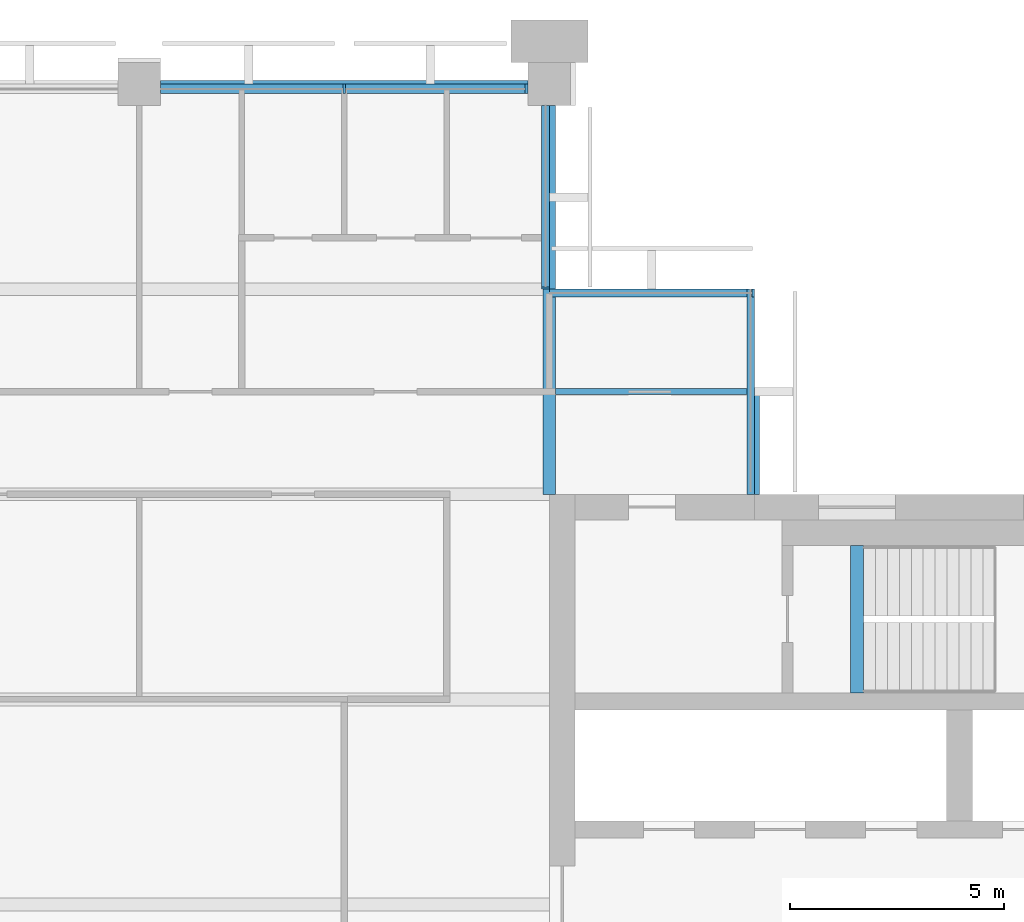
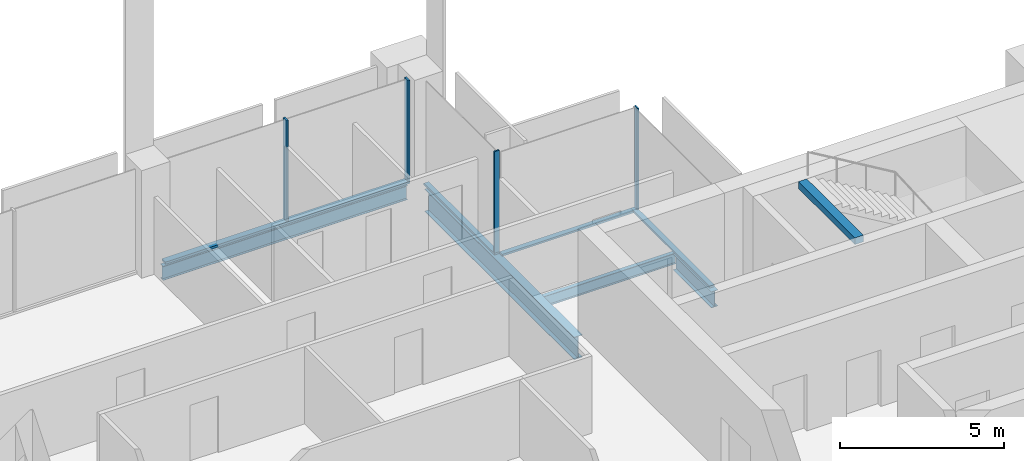
# One storey, part 6 of 13: 8 members, 5 beams, 4 elements without a shape of their own.
"""IFC4 building model written with IfcOpenShell, lengths in metres."""

from ifc_helpers import new_model, si_unit, direction, frame, origin, origin_2d, place, context, subcontext, project, spatial, rectangle, i_section, extrude, material, material_profile, profile_set, type_object, element, aggregate, save


model = new_model("IFC4")

# Units and contexts
model_context = context("Model", 3, precision=1e-05, world=origin(), true_north=direction((0.0, 1.0)))
body_context = subcontext(model_context, "Body", "Model", "MODEL_VIEW")
ifc_project = project(units=[si_unit("LENGTHUNIT", "METRE"), si_unit("AREAUNIT", "SQUARE_METRE"), si_unit("VOLUMEUNIT", "CUBIC_METRE"), si_unit("PLANEANGLEUNIT", "RADIAN"), si_unit("MASSUNIT", "GRAM", prefix="KILO")], contexts=[model_context])

# Site, building, storey
site_placement = place(None, origin())
site = spatial("IfcSite", under=ifc_project, at=site_placement, CompositionType="ELEMENT")
building_placement = place(site_placement, origin())
building = spatial("IfcBuilding", under=site, at=building_placement, Name="Baori Bourse Tower", CompositionType="ELEMENT")
storey_placement = place(building_placement, frame((0.0, 0.0, 330.300048828125)))
storey = spatial("IfcBuildingStorey", under=building, at=storey_placement, Name="L73", CompositionType="ELEMENT", Elevation=330.300048828125)

# Curtain wall, member
ifc_material_1 = material(Name="Pale anodised aluminium", Category="aluminium")
curtain_wall_type_1 = type_object("IfcCurtainWallType", Name="CW2 Curtain wall", PredefinedType="NOTDEFINED", material=ifc_material_1)
curtain_wall_1_placement = place(storey_placement, origin())
curtain_wall_1 = element("IfcCurtainWall", 1, at=curtain_wall_1_placement, inside=storey, type_object=curtain_wall_type_1, Name="Curtain wall CW2 L73 2", PredefinedType="NOTDEFINED")
ifc_material_2 = material(Name="Pale anodised aluminium", Category="aluminium")
ifc_material_profile_1 = material_profile(ifc_material_2, rectangle(XDim=0.179931640625, YDim=0.054931640625, at=origin_2d()), Name="Mullion 55x180")
ifc_profile_set_1 = profile_set([ifc_material_profile_1], Name="Pale anodised aluminium")
member_type_1 = type_object("IfcMemberType", Name="CW2 Curtain wall mullion", PredefinedType="MULLION", material=ifc_profile_set_1)
member_1_placement = place(storey_placement, frame((43.172607421875, 43.110107421875, 0.070068359375), z_axis=(0.0, 0.0, 1.0), x_axis=(0.0, -1.0, 0.0)))
member_1 = element("IfcMember", 2, at=member_1_placement, type_object=member_type_1, Name="Curtain wall CW2 mullion", PredefinedType="MULLION", context=body_context, shape_type="SweptSolid", body=[
    extrude(rectangle(XDim=0.179931640625, YDim=0.054931640625, at=origin_2d()), origin(), (0.0, 0.0, 1.0), 3.769775390625),
])

curtain_wall_2_placement = place(storey_placement, origin())
curtain_wall_2 = element("IfcCurtainWall", 3, at=curtain_wall_2_placement, inside=storey, type_object=curtain_wall_type_1, Name="Curtain wall CW2 L73 3", PredefinedType="NOTDEFINED")
member_2_placement = place(storey_placement, frame((38.31005859375, 43.2275390625, 0.070068359375), z_axis=(0.0, 0.0, 1.0), x_axis=(-1.0, 0.0, 0.0)))
member_2 = element("IfcMember", 4, at=member_2_placement, type_object=member_type_1, Name="Curtain wall CW2 mullion", PredefinedType="MULLION", context=body_context, shape_type="SweptSolid", body=[
    extrude(rectangle(XDim=0.179931640625, YDim=0.054931640625, at=origin_2d()), origin(), (0.0, 0.0, 1.0), 3.769775390625),
])

curtain_wall_3_placement = place(storey_placement, origin())
curtain_wall_3 = element("IfcCurtainWall", 5, at=curtain_wall_3_placement, inside=storey, type_object=curtain_wall_type_1, Name="Curtain wall CW2 L73 1", PredefinedType="NOTDEFINED")
ifc_material_3 = material(Name="Pale anodised aluminium", Category="aluminium")
ifc_material_profile_2 = material_profile(ifc_material_3, rectangle(XDim=0.179931640625, YDim=0.070068359375, at=origin_2d()), Name="Transom 70x180")
ifc_profile_set_2 = profile_set([ifc_material_profile_2], Name="Pale anodised aluminium")
member_type_2 = type_object("IfcMemberType", Name="CW2 Curtain wall transom", PredefinedType="USERDEFINED", material=ifc_profile_set_2)
member_3_placement = place(storey_placement, frame((43.110107421875, 38.39990234375, 0.034912109375), z_axis=(0.0, 1.0, 0.0), x_axis=(-1.0, 0.0, 0.0)))
member_3 = element("IfcMember", 6, at=member_3_placement, type_object=member_type_2, Name="Curtain wall CW2 sill rail", ObjectType="TRANSOM", PredefinedType="USERDEFINED", context=body_context, shape_type="SweptSolid", body=[
    extrude(rectangle(XDim=0.179931640625, YDim=0.070068359375, at=origin_2d()), origin(), (0.0, 0.0, 1.0), 4.800048828125),
])
aggregate(curtain_wall_3, [member_3])

# Member
member_4_placement = place(storey_placement, frame((43.199951171875, 43.110107421875, 0.034912109375), z_axis=(-1.0, 0.0, 0.0), x_axis=(0.0, -1.0, 0.0)))
member_4 = element("IfcMember", 7, at=member_4_placement, type_object=member_type_2, Name="Curtain wall CW2 sill rail", ObjectType="TRANSOM", PredefinedType="USERDEFINED", context=body_context, shape_type="SweptSolid", body=[
    extrude(rectangle(XDim=0.179931640625, YDim=0.070068359375, at=origin_2d()), origin(), (0.0, 0.0, 1.0), 4.800048828125),
])

aggregate(curtain_wall_1, [member_4, member_1])

member_5_placement = place(storey_placement, frame((38.31005859375, 43.199951171875, 0.034912109375), z_axis=(0.0, 1.0, 0.0), x_axis=(-1.0, 0.0, 0.0)))
member_5 = element("IfcMember", 8, at=member_5_placement, type_object=member_type_2, Name="Curtain wall CW2 sill rail", ObjectType="TRANSOM", PredefinedType="USERDEFINED", context=body_context, shape_type="SweptSolid", body=[
    extrude(rectangle(XDim=0.179931640625, YDim=0.070068359375, at=origin_2d()), origin(), (0.0, 0.0, 1.0), 4.300048828125),
])

aggregate(curtain_wall_2, [member_5, member_2])

# Curtain wall, members
ifc_material_4 = material(Name="Pale anodised aluminium", Category="aluminium")
curtain_wall_type_2 = type_object("IfcCurtainWallType", Name="CW5 Curtain wall", PredefinedType="NOTDEFINED", material=ifc_material_4)
curtain_wall_4_placement = place(storey_placement, origin())
curtain_wall_4 = element("IfcCurtainWall", 9, at=curtain_wall_4_placement, inside=storey, type_object=curtain_wall_type_2, Name="Curtain wall CW5 L73 4", PredefinedType="NOTDEFINED")
ifc_material_5 = material(Name="Pale anodised aluminium", Category="aluminium")
ifc_material_profile_3 = material_profile(ifc_material_5, rectangle(XDim=0.219970703125, YDim=0.06494140625, at=origin_2d()), Name="Mullion 65x220")
ifc_profile_set_3 = profile_set([ifc_material_profile_3], Name="Pale anodised aluminium")
member_type_3 = type_object("IfcMemberType", Name="CW5 Curtain wall mullion", PredefinedType="MULLION", material=ifc_profile_set_3)
member_6_placement = place(storey_placement, frame((37.867431640625, 47.889892578125, 0.0849609375), z_axis=(0.0, 0.0, 1.0), x_axis=(0.0, -1.0, 0.0)))
member_6 = element("IfcMember", 10, at=member_6_placement, type_object=member_type_3, Name="Curtain wall CW5 mullion", PredefinedType="MULLION", context=body_context, shape_type="SweptSolid", body=[
    extrude(rectangle(XDim=0.219970703125, YDim=0.06494140625, at=origin_2d()), origin(), (0.0, 0.0, 1.0), 3.7548828125),
])
member_7_placement = place(storey_placement, frame((33.60009765625, 47.889892578125, 0.0849609375), z_axis=(0.0, 0.0, 1.0), x_axis=(0.0, -1.0, 0.0)))
member_7 = element("IfcMember", 11, at=member_7_placement, type_object=member_type_3, Name="Curtain wall CW5 mullion", PredefinedType="MULLION", context=body_context, shape_type="SweptSolid", body=[
    extrude(rectangle(XDim=0.219970703125, YDim=0.06494140625, at=origin_2d()), origin(), (0.0, 0.0, 1.0), 3.7548828125),
])
ifc_material_6 = material(Name="Pale anodised aluminium", Category="aluminium")
ifc_material_profile_4 = material_profile(ifc_material_6, rectangle(XDim=0.219970703125, YDim=0.0849609375, at=origin_2d()), Name="Transom 85x220")
ifc_profile_set_4 = profile_set([ifc_material_profile_4], Name="Pale anodised aluminium")
member_type_4 = type_object("IfcMemberType", Name="CW5 Curtain wall transom", PredefinedType="USERDEFINED", material=ifc_profile_set_4)
member_8_placement = place(storey_placement, frame((37.89990234375, 47.889892578125, 0.04248046875), z_axis=(-1.0, 0.0, 0.0), x_axis=(0.0, -1.0, 0.0)))
member_8 = element("IfcMember", 12, at=member_8_placement, type_object=member_type_4, Name="Curtain wall CW5 sill rail", ObjectType="TRANSOM", PredefinedType="USERDEFINED", context=body_context, shape_type="SweptSolid", body=[
    extrude(rectangle(XDim=0.219970703125, YDim=0.0849609375, at=origin_2d()), origin(), (0.0, 0.0, 1.0), 8.599853515625),
])
aggregate(curtain_wall_4, [member_8, member_6, member_7])

# Beams
ifc_material_7 = material(Name="Steel A992 Gr 50", Category="steel")
ifc_material_profile_5 = material_profile(ifc_material_7, i_section(OverallWidth=0.227783203125, OverallDepth=0.60205078125, WebThickness=0.010498046875, FlangeThickness=0.014892578125, at=origin_2d()), Name="W24x68")
ifc_profile_set_5 = profile_set([ifc_material_profile_5], Name="Steel A992 Gr 50")
beam_type_1 = type_object("IfcBeamType", Name="Core bracket W24x68", PredefinedType="BEAM", material=ifc_profile_set_5)
beam_1_placement = place(storey_placement, frame((43.199951171875, 38.39990234375, -0.4609375), z_axis=(0.0, 1.0, 0.0), x_axis=(-1.0, 0.0, 0.0)))
element("IfcBeam", 13, at=beam_1_placement, inside=storey, type_object=beam_type_1, Name="Core bracket L73", PredefinedType="BEAM", context=body_context, shape_type="SweptSolid", body=[
    extrude(i_section(OverallWidth=0.227783203125, OverallDepth=0.60205078125, WebThickness=0.010498046875, FlangeThickness=0.014892578125, at=origin_2d()), origin(), (0.0, 0.0, 1.0), 2.329833984375),
])
ifc_material_8 = material(Name="Steel A992 Gr 50", Category="steel")
ifc_material_profile_6 = material_profile(ifc_material_8, i_section(OverallWidth=0.1650390625, OverallDepth=0.52587890625, WebThickness=0.0087890625, FlangeThickness=0.011474609375, at=origin_2d()), Name="W21x44")
ifc_profile_set_6 = profile_set([ifc_material_profile_6], Name="Steel A992 Gr 50")
beam_type_2 = type_object("IfcBeamType", Name="Edge beam W21x44", PredefinedType="BEAM", material=ifc_profile_set_6)
beam_2_placement = place(storey_placement, frame((29.300048828125, 48.0, -0.4228515625), z_axis=(1.0, 0.0, 0.0), x_axis=(0.0, 1.0, 0.0)))
element("IfcBeam", 14, at=beam_2_placement, inside=storey, type_object=beam_type_2, Name="Edge beam L73", PredefinedType="BEAM", context=body_context, shape_type="SweptSolid", body=[
    extrude(i_section(OverallWidth=0.1650390625, OverallDepth=0.52587890625, WebThickness=0.0087890625, FlangeThickness=0.011474609375, at=origin_2d()), origin(), (0.0, 0.0, 1.0), 8.599853515625),
])
ifc_material_9 = material(Name="Steel A992 Gr 50", Category="steel")
ifc_material_profile_7 = material_profile(ifc_material_9, i_section(OverallWidth=0.2919921875, OverallDepth=0.835693359375, WebThickness=0.013916015625, FlangeThickness=0.018798828125, at=origin_2d()), Name="W33x118")
ifc_profile_set_7 = profile_set([ifc_material_profile_7], Name="Steel A992 Gr 50")
beam_type_3 = type_object("IfcBeamType", Name="Girder W33x118", PredefinedType="BEAM", material=ifc_profile_set_7)
beam_3_placement = place(storey_placement, frame((38.39990234375, 38.39990234375, -0.577880859375), z_axis=(0.0, 1.0, 0.0), x_axis=(-1.0, 0.0, 0.0)))
element("IfcBeam", 15, at=beam_3_placement, inside=storey, type_object=beam_type_3, Name="Girder L73", PredefinedType="BEAM", context=body_context, shape_type="SweptSolid", body=[
    extrude(i_section(OverallWidth=0.2919921875, OverallDepth=0.835693359375, WebThickness=0.013916015625, FlangeThickness=0.018798828125, at=origin_2d()), origin(), (0.0, 0.0, 1.0), 9.10009765625),
])
ifc_material_10 = material(Name="Concrete f'c 50 MPa", Category="concrete")
ifc_material_profile_8 = material_profile(ifc_material_10, rectangle(XDim=0.300048828125, YDim=0.25, at=origin_2d()), Name="RC 300x250")
ifc_profile_set_8 = profile_set([ifc_material_profile_8], Name="Concrete f'c 50 MPa")
beam_type_4 = type_object("IfcBeamType", Name="Stair nib beam RC 300x250", PredefinedType="BEAM", material=ifc_profile_set_8)
beam_4_placement = place(storey_placement, frame((45.60009765625, 33.75, 3.71484375), z_axis=(0.0, 1.0, 0.0), x_axis=(-1.0, 0.0, 0.0)))
element("IfcBeam", 16, at=beam_4_placement, inside=storey, type_object=beam_type_4, Name="Stair EB nib beam L74", PredefinedType="BEAM", context=body_context, shape_type="SweptSolid", body=[
    extrude(rectangle(XDim=0.300048828125, YDim=0.25, at=origin_2d()), origin(), (0.0, 0.0, 1.0), 3.449951171875),
])
ifc_material_11 = material(Name="Steel A992 Gr 50", Category="steel")
ifc_material_profile_9 = material_profile(ifc_material_11, i_section(OverallWidth=0.140380859375, OverallDepth=0.40380859375, WebThickness=0.007080078125, FlangeThickness=0.01123046875, at=origin_2d()), Name="W16x31")
ifc_profile_set_9 = profile_set([ifc_material_profile_9], Name="Steel A992 Gr 50")
beam_type_5 = type_object("IfcBeamType", Name="Trimmer beam W16x31", PredefinedType="BEAM", material=ifc_profile_set_9)
beam_5_placement = place(storey_placement, frame((38.546142578125, 40.800048828125, -0.362060546875), z_axis=(1.0, 0.0, 0.0), x_axis=(0.0, 1.0, 0.0)))
element("IfcBeam", 17, at=beam_5_placement, inside=storey, type_object=beam_type_5, Name="Trimmer beam L73", PredefinedType="BEAM", context=body_context, shape_type="SweptSolid", body=[
    extrude(i_section(OverallWidth=0.140380859375, OverallDepth=0.40380859375, WebThickness=0.007080078125, FlangeThickness=0.01123046875, at=origin_2d()), origin(), (0.0, 0.0, 1.0), 4.65380859375),
])

save(model, "model.ifc")
